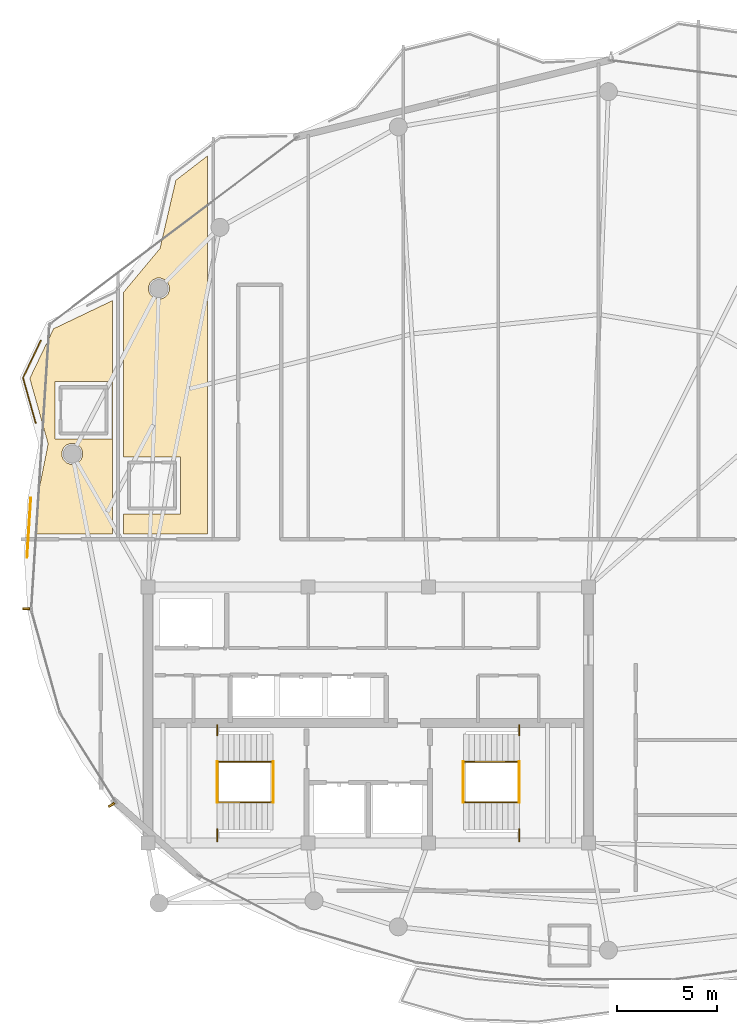
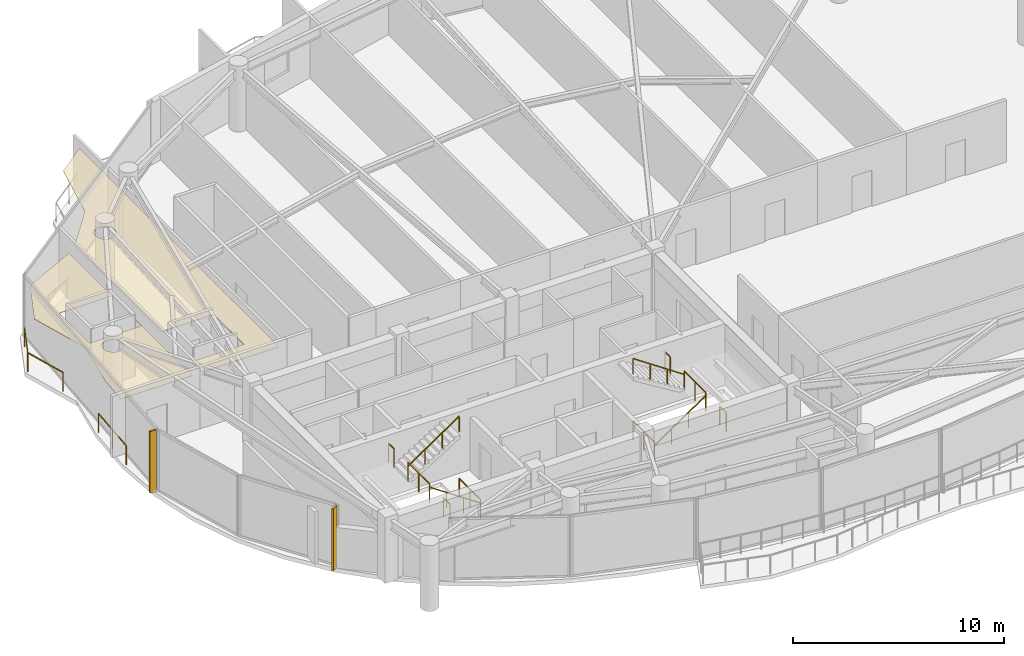
# One storey, part 27 of 29: 14 railings, 2 coverings, 2 shading devices.
"""IFC4 building model written with IfcOpenShell, lengths in metres."""

import ifcopenshell
import ifcopenshell.guid

model = None  # the IFC model being written
_history = None  # IfcOwnerHistory: only IFC2X3 demands one
_inside = {}  # id of a spatial element -> (the spatial element, [elements in it])
_under = {}  # id of a project, library or spatial element -> (it, [spatial elements below it])
_declared = {}  # id of a project -> (the project, [libraries it declares])
_typed = {}  # id of a type object -> (the type object, [elements of that type])
_made_of = {}  # id of a material, layer set ... -> (it, [elements and type objects made of it])


def new_model(schema):
    """Start an empty IFC model of exactly this schema.

    Asked for "IFC4X3", IfcOpenShell would pick the latest addendum, in which some entities
    have other attributes; the version numbers below select the first issue.
    IFC2X3 requires an IfcOwnerHistory on every rooted entity: one is made here for all.
    """
    global model, _history
    if schema == "IFC4X3":
        model = ifcopenshell.file(schema_version=(4, 3, 0, 0))
    else:
        model = ifcopenshell.file(schema=schema)
    _inside.clear()
    _under.clear()
    _declared.clear()
    _typed.clear()
    _made_of.clear()
    _history = None
    if model.schema == "IFC2X3":
        org = make("IfcOrganization", Name="unknown")
        user = make(
            "IfcPersonAndOrganization",
            ThePerson=make("IfcPerson", FamilyName="unknown"),
            TheOrganization=org,
        )
        app = make(
            "IfcApplication",
            ApplicationDeveloper=org,
            Version="unknown",
            ApplicationFullName="unknown",
            ApplicationIdentifier="unknown",
        )
        _history = make(
            "IfcOwnerHistory",
            OwningUser=user,
            OwningApplication=app,
            ChangeAction="ADDED",
            CreationDate=0,
        )
    return model


def make(cls, **values):
    """One entity of the class cls with the attributes given. An attribute that is None is left unset."""
    return model.create_entity(
        cls, **{name: value for name, value in values.items() if value is not None}
    )


def rooted(cls, **values):
    """An entity with a GlobalId (a new one), such as an element, a storey or a relation."""
    return make(cls, GlobalId=ifcopenshell.guid.new(), OwnerHistory=_history, **values)


def si_unit(unit_type, name, prefix=None):
    """IfcSIUnit, for example si_unit("LENGTHUNIT", "METRE", prefix="MILLI")."""
    return make("IfcSIUnit", UnitType=unit_type, Prefix=prefix, Name=name)


def assignment(units):
    """IfcUnitAssignment: the units of a project."""
    return None if units is None else make("IfcUnitAssignment", Units=units)


def point(xyz):
    """IfcCartesianPoint."""
    return None if xyz is None else make("IfcCartesianPoint", Coordinates=xyz)


def direction(xyz):
    """IfcDirection."""
    return None if xyz is None else make("IfcDirection", DirectionRatios=xyz)


def frame(location, z_axis=None, x_axis=None):
    """IfcAxis2Placement3D, a coordinate frame: its origin and axes. An axis left out is left unset."""
    return make(
        "IfcAxis2Placement3D",
        Location=point(location),
        Axis=direction(z_axis),
        RefDirection=direction(x_axis),
    )


def frame_2d(location, x_axis=None):
    """IfcAxis2Placement2D, a coordinate frame in the plane: its origin and x axis."""
    return make(
        "IfcAxis2Placement2D", Location=point(location), RefDirection=direction(x_axis)
    )


def origin():
    """The frame at (0, 0, 0) with its axes left unset."""
    return frame((0.0, 0.0, 0.0))


def origin_2d():
    """The frame at (0, 0) in the plane with its x axis left unset."""
    return frame_2d((0.0, 0.0))


def place(relative_to, where):
    """IfcLocalPlacement: puts the frame where relative to a parent placement (None: the world)."""
    return make(
        "IfcLocalPlacement", PlacementRelTo=relative_to, RelativePlacement=where
    )


def context(
    kind, dimensions, precision=None, world=None, true_north=None, identifier=None
):
    """IfcGeometricRepresentationContext, for example the 3D "Model" context."""
    return make(
        "IfcGeometricRepresentationContext",
        ContextIdentifier=identifier,
        ContextType=kind,
        CoordinateSpaceDimension=dimensions,
        Precision=precision,
        WorldCoordinateSystem=world,
        TrueNorth=true_north,
    )


def subcontext(parent, identifier, kind, view, scale=None):
    """IfcGeometricRepresentationSubContext, for example "Body" below "Model"."""
    return make(
        "IfcGeometricRepresentationSubContext",
        ContextIdentifier=identifier,
        ContextType=kind,
        ParentContext=parent,
        TargetScale=scale,
        TargetView=view,
    )


def project(units=None, contexts=None):
    """IfcProject with its units and contexts."""
    return rooted(
        "IfcProject",
        Name="project",
        RepresentationContexts=contexts,
        UnitsInContext=assignment(units),
    )


def spatial(cls, under=None, at=None, **own):
    """A site, building, storey or space (cls), placed at a placement, below another one or the project."""
    s = rooted(cls, ObjectPlacement=at, **own)
    if under is not None:
        _under.setdefault(under.id(), (under, []))[1].append(s)
    return s


def polyline(points):
    """IfcPolyline through the points."""
    return make("IfcPolyline", Points=[point(p) for p in points])


def profile(cls, at=None, kind="AREA", **sizes):
    """A parametric profile (cls). Its sizes go by their IFC names, for example OverallWidth=200.0."""
    return make(cls, ProfileType=kind, Position=at, **sizes)


def rectangle(**sizes):
    """IfcRectangleProfileDef."""
    return profile("IfcRectangleProfileDef", **sizes)


def outline(outer, holes=None, kind="AREA"):
    """IfcArbitraryClosedProfileDef: a profile drawn as a closed curve; with holes, ...WithVoids."""
    if holes is None:
        return make("IfcArbitraryClosedProfileDef", ProfileType=kind, OuterCurve=outer)
    return make(
        "IfcArbitraryProfileDefWithVoids",
        ProfileType=kind,
        OuterCurve=outer,
        InnerCurves=holes,
    )


def extrude(swept, where, along, depth):
    """IfcExtrudedAreaSolid: the profile swept, set in the frame where, extruded along a direction by depth."""
    return make(
        "IfcExtrudedAreaSolid",
        SweptArea=swept,
        Position=where,
        ExtrudedDirection=direction(along),
        Depth=depth,
    )


def shape(context_of_items, identifier, shape_type, items):
    """IfcShapeRepresentation: the items that make up one representation, for example the "Body"."""
    return make(
        "IfcShapeRepresentation",
        ContextOfItems=context_of_items,
        RepresentationIdentifier=identifier,
        RepresentationType=shape_type,
        Items=items,
    )


def material(Name=None, Category=None):
    """IfcMaterial."""
    return make("IfcMaterial", Name=Name, Category=Category)


def layer(
    of_material, thickness, ventilated=None, Name=None, Category=None, Priority=None
):
    """IfcMaterialLayer: one layer of a wall or slab, of a material (None: an air gap)."""
    return make(
        "IfcMaterialLayer",
        Material=of_material,
        LayerThickness=thickness,
        IsVentilated=ventilated,
        Name=Name,
        Category=Category,
        Priority=Priority,
    )


def layer_set(layers, Name=None):
    """IfcMaterialLayerSet."""
    return make("IfcMaterialLayerSet", MaterialLayers=layers, LayerSetName=Name)


def made_of(thing, what):
    """Note that an element or type object is made of a material, layer set ...; save() writes the relation."""
    if what is not None:
        _made_of.setdefault(what.id(), (what, []))[1].append(thing)
    return thing


def type_object(cls, material=None, **own):
    """A type object (cls), such as IfcWallType, which elements share."""
    return made_of(rooted(cls, **own), material)


def element(
    cls,
    number,
    at=None,
    inside=None,
    cuts=None,
    type_object=None,
    material=None,
    context=None,
    identifier="Body",
    shape_type=None,
    held_by="IfcProductDefinitionShape",
    body=None,
    shapes=None,
    **own,
):
    """One element of the class cls, such as IfcWall. Its Tag is "e" and its number.

    at: its placement. inside: the storey or other place that contains it. cuts: it is an
    opening in that element (IfcRelVoidsElement). A single representation is given by context,
    identifier, shape_type and body (its items); several are given by shapes. held_by: the class
    of the entity that holds the representations. save() writes the other relations.
    """
    e = rooted(cls, Tag="e%d" % number, ObjectPlacement=at, **own)
    if body is not None:
        shapes = [shape(context, identifier, shape_type, body)]
    if shapes is not None:
        e.Representation = make(held_by, Representations=shapes)
    if inside is not None:
        _inside.setdefault(inside.id(), (inside, []))[1].append(e)
    if cuts is not None:
        rooted(
            "IfcRelVoidsElement", RelatingBuildingElement=cuts, RelatedOpeningElement=e
        )
    if type_object is not None:
        _typed.setdefault(type_object.id(), (type_object, []))[1].append(e)
    return made_of(e, material)


def aggregate(whole, parts):
    """IfcRelAggregates: a whole, such as a stair, and the parts it consists of."""
    return rooted("IfcRelAggregates", RelatingObject=whole, RelatedObjects=parts)


def save(model, path):
    """Write the relations noted so far, then the file.

    IfcRelAggregates (storeys below a building ...), IfcRelContainedInSpatialStructure (elements
    in a storey), IfcRelDefinesByType, IfcRelAssociatesMaterial and IfcRelDeclares: one each for
    every whole, place, type object, material and project.
    """
    for whole, parts in _under.values():
        aggregate(whole, parts)
    for where, things in _inside.values():
        rooted(
            "IfcRelContainedInSpatialStructure",
            RelatedElements=things,
            RelatingStructure=where,
        )
    for kind, things in _typed.values():
        rooted("IfcRelDefinesByType", RelatedObjects=things, RelatingType=kind)
    for what, things in _made_of.values():
        rooted("IfcRelAssociatesMaterial", RelatedObjects=things, RelatingMaterial=what)
    for by, libraries in _declared.values():
        rooted("IfcRelDeclares", RelatingContext=by, RelatedDefinitions=libraries)
    model.write(path)


model = new_model("IFC4")

# Units and contexts
model_context = context("Model", 3, precision=1e-05, world=origin(), true_north=direction((0.0, 1.0)))
body_context = subcontext(model_context, "Body", "Model", "MODEL_VIEW")
ifc_project = project(units=[si_unit("LENGTHUNIT", "METRE"), si_unit("AREAUNIT", "SQUARE_METRE"), si_unit("VOLUMEUNIT", "CUBIC_METRE"), si_unit("PLANEANGLEUNIT", "RADIAN"), si_unit("MASSUNIT", "GRAM", prefix="KILO")], contexts=[model_context])

# Site, building, storey
site_placement = place(None, origin())
site = spatial("IfcSite", under=ifc_project, at=site_placement, CompositionType="ELEMENT")
building_placement = place(site_placement, origin())
building = spatial("IfcBuilding", under=site, at=building_placement, Name="Kazevale Care Tower and Concert Hall", CompositionType="ELEMENT")
storey_placement = place(building_placement, frame((0.0, 0.0, 262.39990234375)))
storey = spatial("IfcBuildingStorey", under=building, at=storey_placement, Name="L69", CompositionType="ELEMENT", Elevation=262.39990234375)

# Coverings
ifc_material_1 = material(Name="Acoustic Plaster and Hinoki Wood", Category="wood")
ifc_layer = layer(ifc_material_1, 0.0400390625)
ifc_layer_set = layer_set([ifc_layer], Name="Acoustic Plaster and Hinoki Wood")
covering_type = type_object("IfcCoveringType", Name="Acoustic Perforated Wood-Gypsum Ceiling", PredefinedType="CEILING", material=ifc_layer_set)
covering_1_placement = place(storey_placement, frame((0.0, 0.0, 2.91015625)))
element("IfcCovering", 1, at=covering_1_placement, inside=storey, type_object=covering_type, Name="clg:L69:1", PredefinedType="CEILING", context=body_context, shape_type="SweptSolid", body=[
    extrude(outline(polyline([(16.087890625, 46.824951171875), (17.279052734375, 49.304931640625), (20.219970703125, 50.7109375), (20.219970703125, 39.054931640625), (16.330078125, 39.054931640625), (16.44091796875, 40.72802734375), (17.0048828125, 43.55908203125), (16.087890625, 46.824951171875)]), holes=[polyline([(17.344970703125, 46.655029296875), (17.344970703125, 43.794921875), (20.205078125, 43.794921875), (20.205078125, 46.655029296875), (17.344970703125, 46.655029296875)]), polyline([(18.72998046875, 43.153076171875), (18.65087890625, 43.343994140625), (18.50390625, 43.490966796875), (18.31298828125, 43.570068359375), (18.10693359375, 43.570068359375), (17.916015625, 43.490966796875), (17.76904296875, 43.343994140625), (17.68994140625, 43.153076171875), (17.68994140625, 42.947021484375), (17.76904296875, 42.756103515625), (17.916015625, 42.60888671875), (18.10693359375, 42.530029296875), (18.31298828125, 42.530029296875), (18.50390625, 42.60888671875), (18.65087890625, 42.756103515625), (18.72998046875, 42.947021484375), (18.72998046875, 43.153076171875)])]), origin(), (0.0, 0.0, 1.0), 0.0400390625),
])
covering_2_placement = place(storey_placement, frame((0.0, 0.0, 2.91015625)))
element("IfcCovering", 2, at=covering_2_placement, inside=storey, type_object=covering_type, Name="clg:L69:2", PredefinedType="CEILING", context=body_context, shape_type="SweptSolid", body=[
    extrude(outline(polyline([(23.6298828125, 40.044921875), (23.6298828125, 42.905029296875), (20.780029296875, 42.905029296875), (20.780029296875, 51.134033203125), (22.593994140625, 53.31494140625), (23.385009765625, 56.721923828125), (24.969970703125, 57.943115234375), (24.969970703125, 39.054931640625), (20.780029296875, 39.054931640625), (20.780029296875, 40.044921875), (23.6298828125, 40.044921875)]), holes=[polyline([(23.06005859375, 51.4130859375), (22.98095703125, 51.60400390625), (22.833984375, 51.7509765625), (22.64306640625, 51.830078125), (22.43701171875, 51.830078125), (22.24609375, 51.7509765625), (22.09912109375, 51.60400390625), (22.02001953125, 51.4130859375), (22.02001953125, 51.20703125), (22.09912109375, 51.01611328125), (22.24609375, 50.868896484375), (22.43701171875, 50.7900390625), (22.64306640625, 50.7900390625), (22.833984375, 50.868896484375), (22.98095703125, 51.01611328125), (23.06005859375, 51.20703125), (23.06005859375, 51.4130859375)])]), origin(), (0.0, 0.0, 1.0), 0.0400390625),
])

# Railings
ifc_material_2 = material(Name="Anodised Bronze Aluminium and Laminated Glass", Category="aluminium")
railing_type_1 = type_object("IfcRailingType", Name="Balcony and Terrace Balustrade 1120", PredefinedType="BALUSTRADE", material=ifc_material_2)
railing_1_placement = place(storey_placement, frame((15.947998046875, 37.87890625, 0.0)))
element("IfcRailing", 3, at=railing_1_placement, inside=storey, type_object=railing_type_1, Name="rail:L69:perim:1", PredefinedType="BALUSTRADE", context=body_context, shape_type="SweptSolid", body=[
    extrude(rectangle(XDim=0.048095703125, YDim=0.048095703125, at=origin_2d()), frame((0.0, 0.0, 1.09619140625), z_axis=(0.063663552123, 0.997971418494, 0.0), x_axis=(-0.997971418494, 0.063663552123, 0.0)), (0.0, 0.0, 1.0), 2.96826171875),
    extrude(rectangle(XDim=0.0419921875, YDim=0.0419921875, at=origin_2d()), origin(), (0.0, 0.0, 1.0), 1.072021484375),
    extrude(rectangle(XDim=0.0419921875, YDim=0.0419921875, at=origin_2d()), frame((0.094482421875, 1.48095703125, 0.0)), (0.0, 0.0, 1.0), 1.072021484375),
    extrude(rectangle(XDim=0.0419921875, YDim=0.0419921875, at=origin_2d()), frame((0.18896484375, 2.962158203125, 0.0)), (0.0, 0.0, 1.0), 1.072021484375),
])
railing_2_placement = place(storey_placement, frame((16.376953125, 44.611083984375, 0.0)))
element("IfcRailing", 4, at=railing_2_placement, inside=storey, type_object=railing_type_1, Name="rail:L69:perim:2", PredefinedType="BALUSTRADE", context=body_context, shape_type="SweptSolid", body=[
    extrude(rectangle(XDim=0.048095703125, YDim=0.048095703125, at=origin_2d()), frame((0.0, 0.0, 1.09619140625), z_axis=(-0.270263204308, 0.962786477053, 0.0), x_axis=(-0.962786477053, -0.270263204308, 0.0)), (0.0, 0.0, 1.0), 2.33056640625),
    extrude(rectangle(XDim=0.048095703125, YDim=0.048095703125, at=origin_2d()), frame((-0.6298828125, 2.243896484375, 1.09619140625), z_axis=(0.43310531756, 0.901343321882, 0.0), x_axis=(-0.901343321882, 0.43310531756, 0.0)), (0.0, 0.0, 1.0), 2.056884765625),
    extrude(rectangle(XDim=0.0419921875, YDim=0.0419921875, at=origin_2d()), origin(), (0.0, 0.0, 1.0), 1.072021484375),
    extrude(rectangle(XDim=0.0419921875, YDim=0.0419921875, at=origin_2d()), frame((-0.6298828125, 2.243896484375, 0.0)), (0.0, 0.0, 1.0), 1.072021484375),
    extrude(rectangle(XDim=0.0419921875, YDim=0.0419921875, at=origin_2d()), frame((0.260986328125, 4.097900390625, 0.0)), (0.0, 0.0, 1.0), 1.072021484375),
])
ifc_material_3 = material(Name="Stainless Steel 316", Category="steel")
railing_type_2 = type_object("IfcRailingType", Name="Stair Pitch Handrail 920", PredefinedType="HANDRAIL", material=ifc_material_3)
railing_3_placement = place(storey_placement, frame((28.25, 25.639892578125, 0.0)))
element("IfcRailing", 5, at=railing_3_placement, inside=storey, type_object=railing_type_2, Name="stair:L69:ST1:hr1", PredefinedType="HANDRAIL", context=body_context, shape_type="SweptSolid", body=[
    extrude(rectangle(XDim=0.048095703125, YDim=0.048095703125, at=origin_2d()), frame((0.0, 0.0, 0.89599609375), z_axis=(-0.827460210367, 0.0, 0.56152435411), x_axis=(0.0, -1.0, 0.0)), (0.0, 0.0, 1.0), 3.3837890625),
    extrude(rectangle(XDim=0.0419921875, YDim=0.0419921875, at=origin_2d()), origin(), (0.0, 0.0, 1.0), 0.871826171875),
    extrude(rectangle(XDim=0.0419921875, YDim=0.0419921875, at=origin_2d()), frame((-0.933349609375, 0.0, 0.63330078125)), (0.0, 0.0, 1.0), 0.871826171875),
    extrude(rectangle(XDim=0.0419921875, YDim=0.0419921875, at=origin_2d()), frame((-1.86669921875, 0.0, 1.266845703125)), (0.0, 0.0, 1.0), 0.871826171875),
    extrude(rectangle(XDim=0.0419921875, YDim=0.0419921875, at=origin_2d()), frame((-2.800048828125, 0.0, 1.900146484375)), (0.0, 0.0, 1.0), 0.871826171875),
])
railing_4_placement = place(storey_placement, frame((25.449951171875, 27.659912109375, 1.900146484375)))
element("IfcRailing", 6, at=railing_4_placement, inside=storey, type_object=railing_type_2, Name="stair:L69:ST1:hr2", PredefinedType="HANDRAIL", context=body_context, shape_type="SweptSolid", body=[
    extrude(rectangle(XDim=0.048095703125, YDim=0.048095703125, at=origin_2d()), frame((0.0, 0.0, 0.89599609375), z_axis=(0.827493732819, 0.0, 0.561474952376), x_axis=(0.0, 1.0, 0.0)), (0.0, 0.0, 1.0), 3.3837890625),
    extrude(rectangle(XDim=0.0419921875, YDim=0.0419921875, at=origin_2d()), origin(), (0.0, 0.0, 1.0), 0.871826171875),
    extrude(rectangle(XDim=0.0419921875, YDim=0.0419921875, at=origin_2d()), frame((0.933349609375, 0.0, 0.63330078125)), (0.0, 0.0, 1.0), 0.871826171875),
    extrude(rectangle(XDim=0.0419921875, YDim=0.0419921875, at=origin_2d()), frame((1.86669921875, 0.0, 1.2666015625)), (0.0, 0.0, 1.0), 0.871826171875),
    extrude(rectangle(XDim=0.0419921875, YDim=0.0419921875, at=origin_2d()), frame((2.800048828125, 0.0, 1.89990234375)), (0.0, 0.0, 1.0), 0.871826171875),
])
railing_5_placement = place(storey_placement, frame((37.75, 25.639892578125, 0.0)))
element("IfcRailing", 7, at=railing_5_placement, inside=storey, type_object=railing_type_2, Name="stair:L69:ST2:hr1", PredefinedType="HANDRAIL", context=body_context, shape_type="SweptSolid", body=[
    extrude(rectangle(XDim=0.048095703125, YDim=0.048095703125, at=origin_2d()), frame((0.0, 0.0, 0.89599609375), z_axis=(0.827460210367, 0.0, 0.56152435411), x_axis=(0.0, 1.0, 0.0)), (0.0, 0.0, 1.0), 3.3837890625),
    extrude(rectangle(XDim=0.0419921875, YDim=0.0419921875, at=origin_2d()), origin(), (0.0, 0.0, 1.0), 0.871826171875),
    extrude(rectangle(XDim=0.0419921875, YDim=0.0419921875, at=origin_2d()), frame((0.933349609375, 0.0, 0.63330078125)), (0.0, 0.0, 1.0), 0.871826171875),
    extrude(rectangle(XDim=0.0419921875, YDim=0.0419921875, at=origin_2d()), frame((1.86669921875, 0.0, 1.266845703125)), (0.0, 0.0, 1.0), 0.871826171875),
    extrude(rectangle(XDim=0.0419921875, YDim=0.0419921875, at=origin_2d()), frame((2.800048828125, 0.0, 1.900146484375)), (0.0, 0.0, 1.0), 0.871826171875),
])
railing_6_placement = place(storey_placement, frame((40.550048828125, 27.659912109375, 1.900146484375)))
element("IfcRailing", 8, at=railing_6_placement, inside=storey, type_object=railing_type_2, Name="stair:L69:ST2:hr2", PredefinedType="HANDRAIL", context=body_context, shape_type="SweptSolid", body=[
    extrude(rectangle(XDim=0.048095703125, YDim=0.048095703125, at=origin_2d()), frame((0.0, 0.0, 0.89599609375), z_axis=(-0.827493732819, 0.0, 0.561474952376), x_axis=(0.0, -1.0, 0.0)), (0.0, 0.0, 1.0), 3.3837890625),
    extrude(rectangle(XDim=0.0419921875, YDim=0.0419921875, at=origin_2d()), origin(), (0.0, 0.0, 1.0), 0.871826171875),
    extrude(rectangle(XDim=0.0419921875, YDim=0.0419921875, at=origin_2d()), frame((-0.933349609375, 0.0, 0.63330078125)), (0.0, 0.0, 1.0), 0.871826171875),
    extrude(rectangle(XDim=0.0419921875, YDim=0.0419921875, at=origin_2d()), frame((-1.86669921875, 0.0, 1.2666015625)), (0.0, 0.0, 1.0), 0.871826171875),
    extrude(rectangle(XDim=0.0419921875, YDim=0.0419921875, at=origin_2d()), frame((-2.800048828125, 0.0, 1.89990234375)), (0.0, 0.0, 1.0), 0.871826171875),
])
railing_type_3 = type_object("IfcRailingType", Name="Stair Well Guard Balustrade 1120", PredefinedType="BALUSTRADE", material=ifc_material_3)
railing_7_placement = place(storey_placement, frame((25.449951171875, 23.699951171875, 1.900146484375)))
element("IfcRailing", 9, at=railing_7_placement, inside=storey, type_object=railing_type_3, Name="stair:L69:ST1:grd_side1", PredefinedType="BALUSTRADE", context=body_context, shape_type="SweptSolid", body=[
    extrude(rectangle(XDim=0.048095703125, YDim=0.048095703125, at=origin_2d()), frame((0.0, 0.0, 1.09619140625), z_axis=(0.0, 1.0, 0.0), x_axis=(-1.0, 0.0, 0.0)), (0.0, 0.0, 1.0), 0.610107421875),
    extrude(rectangle(XDim=0.0419921875, YDim=0.0419921875, at=origin_2d()), origin(), (0.0, 0.0, 1.0), 1.072021484375),
    extrude(rectangle(XDim=0.0419921875, YDim=0.0419921875, at=origin_2d()), frame((0.0, 0.610107421875, 0.0)), (0.0, 0.0, 1.0), 1.072021484375),
])
railing_8_placement = place(storey_placement, frame((25.449951171875, 28.989990234375, 1.900146484375)))
element("IfcRailing", 10, at=railing_8_placement, inside=storey, type_object=railing_type_3, Name="stair:L69:ST1:grd_side2", PredefinedType="BALUSTRADE", context=body_context, shape_type="SweptSolid", body=[
    extrude(rectangle(XDim=0.048095703125, YDim=0.048095703125, at=origin_2d()), frame((0.0, 0.0, 1.09619140625), z_axis=(0.0, 1.0, 0.0), x_axis=(-1.0, 0.0, 0.0)), (0.0, 0.0, 1.0), 0.510009765625),
    extrude(rectangle(XDim=0.0419921875, YDim=0.0419921875, at=origin_2d()), origin(), (0.0, 0.0, 1.0), 1.072021484375),
    extrude(rectangle(XDim=0.0419921875, YDim=0.0419921875, at=origin_2d()), frame((0.0, 0.510009765625, 0.0)), (0.0, 0.0, 1.0), 1.072021484375),
])
for number, where, name in (
    (11, (25.449951171875, 25.639892578125, 1.900146484375), "stair:L69:ST1:grd_mid"),
    (12, (28.25, 25.639892578125, 0.0), "stair:L69:ST1:grd_flr"),
):
    element("IfcRailing", number, at=place(storey_placement, frame(where)), inside=storey, type_object=railing_type_3, Name=name, PredefinedType="BALUSTRADE", context=body_context, shape_type="SweptSolid", body=[
        extrude(rectangle(XDim=0.048095703125, YDim=0.048095703125, at=origin_2d()), frame((0.0, 0.0, 1.09619140625), z_axis=(0.0, 1.0, 0.0), x_axis=(-1.0, 0.0, 0.0)), (0.0, 0.0, 1.0), 2.02001953125),
        extrude(rectangle(XDim=0.0419921875, YDim=0.0419921875, at=origin_2d()), origin(), (0.0, 0.0, 1.0), 1.072021484375),
        extrude(rectangle(XDim=0.0419921875, YDim=0.0419921875, at=origin_2d()), frame((0.0, 1.010009765625, 0.0)), (0.0, 0.0, 1.0), 1.072021484375),
        extrude(rectangle(XDim=0.0419921875, YDim=0.0419921875, at=origin_2d()), frame((0.0, 2.02001953125, 0.0)), (0.0, 0.0, 1.0), 1.072021484375),
    ])
railing_9_placement = place(storey_placement, frame((40.550048828125, 23.699951171875, 1.900146484375)))
element("IfcRailing", 13, at=railing_9_placement, inside=storey, type_object=railing_type_3, Name="stair:L69:ST2:grd_side1", PredefinedType="BALUSTRADE", context=body_context, shape_type="SweptSolid", body=[
    extrude(rectangle(XDim=0.048095703125, YDim=0.048095703125, at=origin_2d()), frame((0.0, 0.0, 1.09619140625), z_axis=(0.0, 1.0, 0.0), x_axis=(-1.0, 0.0, 0.0)), (0.0, 0.0, 1.0), 0.610107421875),
    extrude(rectangle(XDim=0.0419921875, YDim=0.0419921875, at=origin_2d()), origin(), (0.0, 0.0, 1.0), 1.072021484375),
    extrude(rectangle(XDim=0.0419921875, YDim=0.0419921875, at=origin_2d()), frame((0.0, 0.610107421875, 0.0)), (0.0, 0.0, 1.0), 1.072021484375),
])
railing_10_placement = place(storey_placement, frame((40.550048828125, 28.989990234375, 1.900146484375)))
element("IfcRailing", 14, at=railing_10_placement, inside=storey, type_object=railing_type_3, Name="stair:L69:ST2:grd_side2", PredefinedType="BALUSTRADE", context=body_context, shape_type="SweptSolid", body=[
    extrude(rectangle(XDim=0.048095703125, YDim=0.048095703125, at=origin_2d()), frame((0.0, 0.0, 1.09619140625), z_axis=(0.0, 1.0, 0.0), x_axis=(-1.0, 0.0, 0.0)), (0.0, 0.0, 1.0), 0.510009765625),
    extrude(rectangle(XDim=0.0419921875, YDim=0.0419921875, at=origin_2d()), origin(), (0.0, 0.0, 1.0), 1.072021484375),
    extrude(rectangle(XDim=0.0419921875, YDim=0.0419921875, at=origin_2d()), frame((0.0, 0.510009765625, 0.0)), (0.0, 0.0, 1.0), 1.072021484375),
])
for number, where, name in (
    (15, (40.550048828125, 25.639892578125, 1.900146484375), "stair:L69:ST2:grd_mid"),
    (16, (37.75, 25.639892578125, 0.0), "stair:L69:ST2:grd_flr"),
):
    element("IfcRailing", number, at=place(storey_placement, frame(where)), inside=storey, type_object=railing_type_3, Name=name, PredefinedType="BALUSTRADE", context=body_context, shape_type="SweptSolid", body=[
        extrude(rectangle(XDim=0.048095703125, YDim=0.048095703125, at=origin_2d()), frame((0.0, 0.0, 1.09619140625), z_axis=(0.0, 1.0, 0.0), x_axis=(-1.0, 0.0, 0.0)), (0.0, 0.0, 1.0), 2.02001953125),
        extrude(rectangle(XDim=0.0419921875, YDim=0.0419921875, at=origin_2d()), origin(), (0.0, 0.0, 1.0), 1.072021484375),
        extrude(rectangle(XDim=0.0419921875, YDim=0.0419921875, at=origin_2d()), frame((0.0, 1.010009765625, 0.0)), (0.0, 0.0, 1.0), 1.072021484375),
        extrude(rectangle(XDim=0.0419921875, YDim=0.0419921875, at=origin_2d()), frame((0.0, 2.02001953125, 0.0)), (0.0, 0.0, 1.0), 1.072021484375),
    ])

# Shading devices
ifc_material_4 = material(Name="Anodised Bronze Aluminium", Category="aluminium")
shading_device_type = type_object("IfcShadingDeviceType", Name="Waist Anodised Bronze-Stone Fin FIN-02", PredefinedType="USERDEFINED", material=ifc_material_4)
for number, where, z_axis, x_axis, name in (
    (17, (20.175048828125, 25.5146484375, 0.0), (0.0, 0.0, 1.0), (-0.846657866138, -0.532137630417, 0.0), "cw:L69:f11:fin"),
    (18, (15.9091796875, 35.310302734375, 0.0), (0.0, 0.0, 1.0), (-0.997982649167, 0.063487258268, 0.0), "cw:L69:f13:fin"),
):
    element("IfcShadingDevice", number, at=place(storey_placement, frame(where, z_axis=z_axis, x_axis=x_axis)), inside=storey, type_object=shading_device_type, Name=name, ObjectType="FIN", PredefinedType="USERDEFINED", context=body_context, shape_type="SweptSolid", body=[
        extrude(rectangle(XDim=0.340087890625, YDim=0.10009765625, at=origin_2d()), origin(), (0.0, 0.0, 1.0), 3.56005859375),
    ])

save(model, "model.ifc")
